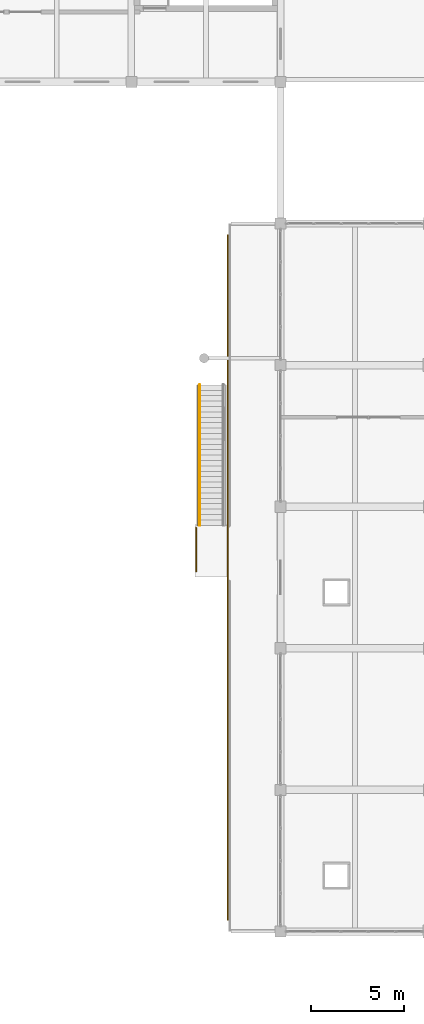
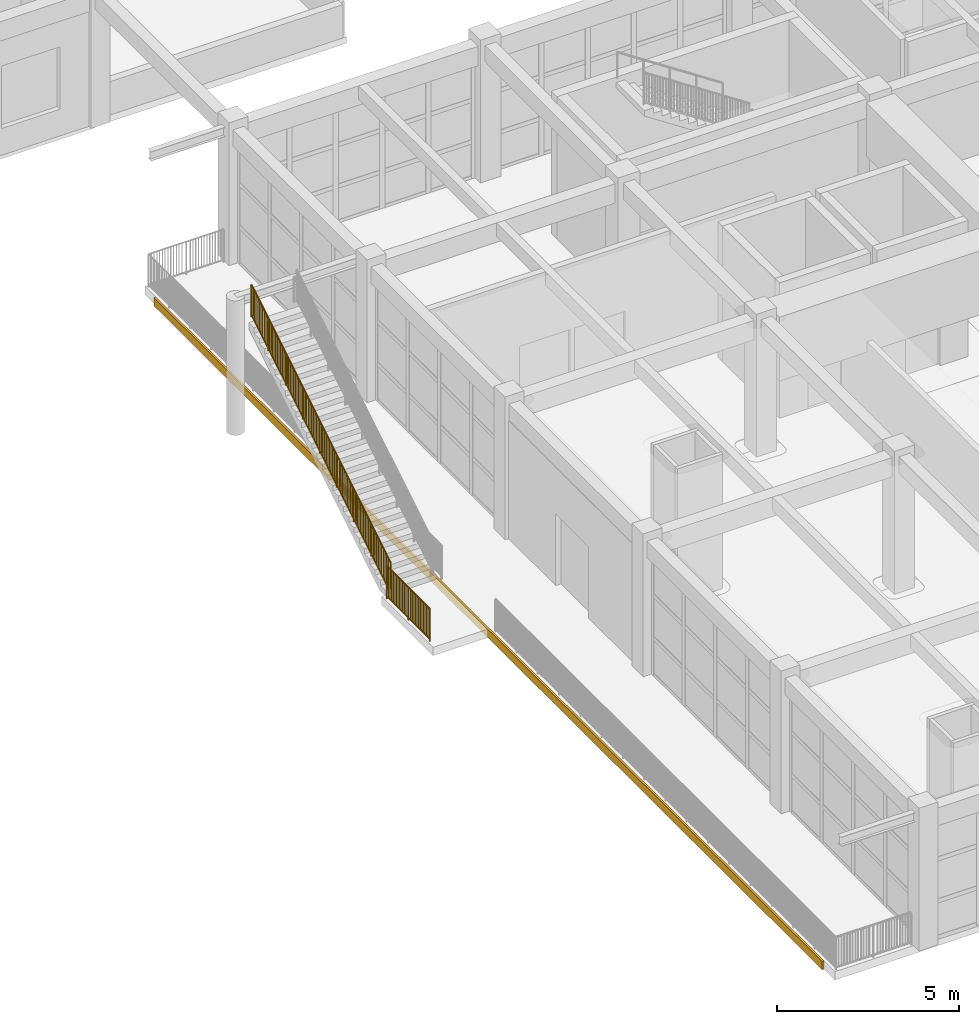
# One storey, part 41 of 50: 3 railings, 1 covering.
"""IFC4 building model written with IfcOpenShell, lengths in metres."""

from ifc_helpers import new_model, si_unit, direction, frame, origin, origin_2d, place, context, subcontext, project, spatial, polyline, rectangle, circle, outline, extrude, material, layer, layer_set, type_object, element, save


model = new_model("IFC4")

# Units and contexts
model_context = context("Model", 3, precision=1e-05, world=origin(), true_north=direction((0.0, 1.0)))
body_context = subcontext(model_context, "Body", "Model", "MODEL_VIEW")
ifc_project = project(units=[si_unit("LENGTHUNIT", "METRE"), si_unit("AREAUNIT", "SQUARE_METRE"), si_unit("VOLUMEUNIT", "CUBIC_METRE"), si_unit("PLANEANGLEUNIT", "RADIAN"), si_unit("MASSUNIT", "GRAM", prefix="KILO")], contexts=[model_context])

# Site, building, storey
site_placement = place(None, origin())
site = spatial("IfcSite", under=ifc_project, at=site_placement, CompositionType="ELEMENT")
building_placement = place(site_placement, origin())
building = spatial("IfcBuilding", under=site, at=building_placement, Name="Zantavel Square City Hall", CompositionType="ELEMENT")
storey_placement = place(building_placement, frame((0.0, 0.0, 18.89990234375)))
storey = spatial("IfcBuildingStorey", under=building, at=storey_placement, Name="L05", CompositionType="ELEMENT", Elevation=18.89990234375)

# Covering
ifc_material_1 = material(Name="White cantera volcanic tuff stone", Category="masonry")
ifc_layer = layer(ifc_material_1, 0.06005859375, Name="White cantera volcanic tuff stone")
ifc_layer_set = layer_set([ifc_layer], Name="White cantera volcanic tuff stone")
covering_type = type_object("IfcCoveringType", Name="Carved White Cantera Tray Fascia Cladding 60mm", PredefinedType="CLADDING", material=ifc_layer_set)
covering_placement = place(storey_placement, frame((0.0, 0.0, -0.27978515625)))
element("IfcCovering", 1, at=covering_placement, inside=storey, type_object=covering_type, Name="L05 White Cantera Tray Fascia COV-FASCIA-L05W", PredefinedType="CLADDING", context=body_context, shape_type="SweptSolid", body=[
    extrude(outline(polyline([(53.139892578125, 31.0), (53.199951171875, 31.0), (53.199951171875, 67.800048828125), (53.139892578125, 67.800048828125), (53.139892578125, 31.0)])), origin(), (0.0, 0.0, 1.0), 0.27978515625),
])

# Railings
ifc_material_2 = material(Name="Steel ASTM A500 Grade B", Category="steel")
railing_type_1 = type_object("IfcRailingType", Name="Classical Stone & Steel Terrace Balustrade 1100mm", PredefinedType="BALUSTRADE", material=ifc_material_2)
railing_1_placement = place(storey_placement, frame((51.580078125, 52.199951171875, 0.177978515625)))
element("IfcRailing", 2, at=railing_1_placement, inside=storey, type_object=railing_type_1, Name="Outdoor Stair ST-TR6 Balustered Guard L", PredefinedType="BALUSTRADE", context=body_context, shape_type="SweptSolid", body=[
    extrude(circle(Radius=0.02392578125, at=origin_2d()), frame((0.0, 0.0, 1.076171875), z_axis=(0.0, 0.852563162301, 0.522624199867), x_axis=(-1.0, 0.0, 0.0)), (0.0, 0.0, 1.0), 8.843994140625),
    extrude(rectangle(XDim=0.031982421875, YDim=0.031982421875, at=origin_2d()), frame((0.0, 0.0, 0.080078125), z_axis=(0.0, 0.852563162301, 0.522624199867), x_axis=(-1.0, 0.0, 0.0)), (0.0, 0.0, 1.0), 8.843994140625),
    extrude(rectangle(XDim=0.02197265625, YDim=0.02197265625, at=origin_2d()), frame((0.0, 0.08984375, 0.135009765625)), (0.0, 0.0, 1.0), 0.971923828125),
    extrude(rectangle(XDim=0.02197265625, YDim=0.02197265625, at=origin_2d()), frame((0.0, 0.179443359375, 0.18994140625)), (0.0, 0.0, 1.0), 0.971923828125),
    extrude(rectangle(XDim=0.02197265625, YDim=0.02197265625, at=origin_2d()), frame((0.0, 0.269287109375, 0.2451171875)), (0.0, 0.0, 1.0), 0.971923828125),
    extrude(rectangle(XDim=0.02197265625, YDim=0.02197265625, at=origin_2d()), frame((0.0, 0.359130859375, 0.300048828125)), (0.0, 0.0, 1.0), 0.971923828125),
    extrude(rectangle(XDim=0.02197265625, YDim=0.02197265625, at=origin_2d()), frame((0.0, 0.44873046875, 0.355224609375)), (0.0, 0.0, 1.0), 0.971923828125),
    extrude(rectangle(XDim=0.02197265625, YDim=0.02197265625, at=origin_2d()), frame((0.0, 0.53857421875, 0.41015625)), (0.0, 0.0, 1.0), 0.971923828125),
    extrude(rectangle(XDim=0.02197265625, YDim=0.02197265625, at=origin_2d()), frame((0.0, 0.62841796875, 0.465087890625)), (0.0, 0.0, 1.0), 0.971923828125),
    extrude(rectangle(XDim=0.02197265625, YDim=0.02197265625, at=origin_2d()), frame((0.0, 0.718017578125, 0.520263671875)), (0.0, 0.0, 1.0), 0.971923828125),
    extrude(rectangle(XDim=0.02197265625, YDim=0.02197265625, at=origin_2d()), frame((0.0, 0.807861328125, 0.5751953125)), (0.0, 0.0, 1.0), 0.971923828125),
    extrude(rectangle(XDim=0.02197265625, YDim=0.02197265625, at=origin_2d()), frame((0.0, 0.897705078125, 0.630126953125)), (0.0, 0.0, 1.0), 0.971923828125),
    extrude(rectangle(XDim=0.02197265625, YDim=0.02197265625, at=origin_2d()), frame((0.0, 0.9873046875, 0.685302734375)), (0.0, 0.0, 1.0), 0.971923828125),
    extrude(rectangle(XDim=0.02197265625, YDim=0.02197265625, at=origin_2d()), frame((0.0, 1.0771484375, 0.740234375)), (0.0, 0.0, 1.0), 0.971923828125),
    extrude(rectangle(XDim=0.02197265625, YDim=0.02197265625, at=origin_2d()), frame((0.0, 1.1669921875, 0.79541015625)), (0.0, 0.0, 1.0), 0.971923828125),
    extrude(rectangle(XDim=0.02197265625, YDim=0.02197265625, at=origin_2d()), frame((0.0, 1.256591796875, 0.850341796875)), (0.0, 0.0, 1.0), 0.971923828125),
    extrude(rectangle(XDim=0.02197265625, YDim=0.02197265625, at=origin_2d()), frame((0.0, 1.346435546875, 0.9052734375)), (0.0, 0.0, 1.0), 0.971923828125),
    extrude(rectangle(XDim=0.02197265625, YDim=0.02197265625, at=origin_2d()), frame((0.0, 1.436279296875, 0.96044921875)), (0.0, 0.0, 1.0), 0.971923828125),
    extrude(rectangle(XDim=0.02197265625, YDim=0.02197265625, at=origin_2d()), frame((0.0, 1.52587890625, 1.015380859375)), (0.0, 0.0, 1.0), 0.971923828125),
    extrude(rectangle(XDim=0.02197265625, YDim=0.02197265625, at=origin_2d()), frame((0.0, 1.61572265625, 1.070556640625)), (0.0, 0.0, 1.0), 0.971923828125),
    extrude(rectangle(XDim=0.02197265625, YDim=0.02197265625, at=origin_2d()), frame((0.0, 1.70556640625, 1.12548828125)), (0.0, 0.0, 1.0), 0.971923828125),
    extrude(rectangle(XDim=0.02197265625, YDim=0.02197265625, at=origin_2d()), frame((0.0, 1.795166015625, 1.180419921875)), (0.0, 0.0, 1.0), 0.971923828125),
    extrude(rectangle(XDim=0.02197265625, YDim=0.02197265625, at=origin_2d()), frame((0.0, 1.974853515625, 1.29052734375)), (0.0, 0.0, 1.0), 0.971923828125),
    extrude(rectangle(XDim=0.02197265625, YDim=0.02197265625, at=origin_2d()), frame((0.0, 2.064453125, 1.345458984375)), (0.0, 0.0, 1.0), 0.971923828125),
    extrude(rectangle(XDim=0.02197265625, YDim=0.02197265625, at=origin_2d()), frame((0.0, 2.154296875, 1.400634765625)), (0.0, 0.0, 1.0), 0.971923828125),
    extrude(rectangle(XDim=0.02197265625, YDim=0.02197265625, at=origin_2d()), frame((0.0, 2.244140625, 1.45556640625)), (0.0, 0.0, 1.0), 0.971923828125),
    extrude(rectangle(XDim=0.02197265625, YDim=0.02197265625, at=origin_2d()), frame((0.0, 2.333740234375, 1.5107421875)), (0.0, 0.0, 1.0), 0.971923828125),
    extrude(rectangle(XDim=0.02197265625, YDim=0.02197265625, at=origin_2d()), frame((0.0, 2.423583984375, 1.565673828125)), (0.0, 0.0, 1.0), 0.971923828125),
    extrude(rectangle(XDim=0.02197265625, YDim=0.02197265625, at=origin_2d()), frame((0.0, 2.513427734375, 1.62060546875)), (0.0, 0.0, 1.0), 0.971923828125),
    extrude(rectangle(XDim=0.02197265625, YDim=0.02197265625, at=origin_2d()), frame((0.0, 2.60302734375, 1.67578125)), (0.0, 0.0, 1.0), 0.971923828125),
    extrude(rectangle(XDim=0.02197265625, YDim=0.02197265625, at=origin_2d()), frame((0.0, 2.69287109375, 1.730712890625)), (0.0, 0.0, 1.0), 0.971923828125),
    extrude(rectangle(XDim=0.02197265625, YDim=0.02197265625, at=origin_2d()), frame((0.0, 2.78271484375, 1.78564453125)), (0.0, 0.0, 1.0), 0.971923828125),
    extrude(rectangle(XDim=0.02197265625, YDim=0.02197265625, at=origin_2d()), frame((0.0, 2.872314453125, 1.8408203125)), (0.0, 0.0, 1.0), 0.971923828125),
    extrude(rectangle(XDim=0.02197265625, YDim=0.02197265625, at=origin_2d()), frame((0.0, 2.962158203125, 1.895751953125)), (0.0, 0.0, 1.0), 0.971923828125),
    extrude(rectangle(XDim=0.02197265625, YDim=0.02197265625, at=origin_2d()), frame((0.0, 3.052001953125, 1.950927734375)), (0.0, 0.0, 1.0), 0.971923828125),
    extrude(rectangle(XDim=0.02197265625, YDim=0.02197265625, at=origin_2d()), frame((0.0, 3.1416015625, 2.005859375)), (0.0, 0.0, 1.0), 0.971923828125),
    extrude(rectangle(XDim=0.02197265625, YDim=0.02197265625, at=origin_2d()), frame((0.0, 3.2314453125, 2.060791015625)), (0.0, 0.0, 1.0), 0.971923828125),
    extrude(rectangle(XDim=0.02197265625, YDim=0.02197265625, at=origin_2d()), frame((0.0, 3.3212890625, 2.115966796875)), (0.0, 0.0, 1.0), 0.971923828125),
    extrude(rectangle(XDim=0.02197265625, YDim=0.02197265625, at=origin_2d()), frame((0.0, 3.410888671875, 2.1708984375)), (0.0, 0.0, 1.0), 0.971923828125),
    extrude(rectangle(XDim=0.02197265625, YDim=0.02197265625, at=origin_2d()), frame((0.0, 3.500732421875, 2.22607421875)), (0.0, 0.0, 1.0), 0.971923828125),
    extrude(rectangle(XDim=0.02197265625, YDim=0.02197265625, at=origin_2d()), frame((0.0, 3.590576171875, 2.281005859375)), (0.0, 0.0, 1.0), 0.971923828125),
    extrude(rectangle(XDim=0.02197265625, YDim=0.02197265625, at=origin_2d()), frame((0.0, 3.68017578125, 2.3359375)), (0.0, 0.0, 1.0), 0.971923828125),
    extrude(rectangle(XDim=0.02197265625, YDim=0.02197265625, at=origin_2d()), frame((0.0, 3.85986328125, 2.446044921875)), (0.0, 0.0, 1.0), 0.971923828125),
    extrude(rectangle(XDim=0.02197265625, YDim=0.02197265625, at=origin_2d()), frame((0.0, 3.949462890625, 2.5009765625)), (0.0, 0.0, 1.0), 0.971923828125),
    extrude(rectangle(XDim=0.02197265625, YDim=0.02197265625, at=origin_2d()), frame((0.0, 4.039306640625, 2.55615234375)), (0.0, 0.0, 1.0), 0.971923828125),
    extrude(rectangle(XDim=0.02197265625, YDim=0.02197265625, at=origin_2d()), frame((0.0, 4.129150390625, 2.611083984375)), (0.0, 0.0, 1.0), 0.971923828125),
    extrude(rectangle(XDim=0.02197265625, YDim=0.02197265625, at=origin_2d()), frame((0.0, 4.21875, 2.666259765625)), (0.0, 0.0, 1.0), 0.971923828125),
    extrude(rectangle(XDim=0.02197265625, YDim=0.02197265625, at=origin_2d()), frame((0.0, 4.30859375, 2.72119140625)), (0.0, 0.0, 1.0), 0.971923828125),
    extrude(rectangle(XDim=0.02197265625, YDim=0.02197265625, at=origin_2d()), frame((0.0, 4.3984375, 2.776123046875)), (0.0, 0.0, 1.0), 0.971923828125),
    extrude(rectangle(XDim=0.02197265625, YDim=0.02197265625, at=origin_2d()), frame((0.0, 4.488037109375, 2.831298828125)), (0.0, 0.0, 1.0), 0.971923828125),
    extrude(rectangle(XDim=0.02197265625, YDim=0.02197265625, at=origin_2d()), frame((0.0, 4.577880859375, 2.88623046875)), (0.0, 0.0, 1.0), 0.971923828125),
    extrude(rectangle(XDim=0.02197265625, YDim=0.02197265625, at=origin_2d()), frame((0.0, 4.667724609375, 2.941162109375)), (0.0, 0.0, 1.0), 0.971923828125),
    extrude(rectangle(XDim=0.02197265625, YDim=0.02197265625, at=origin_2d()), frame((0.0, 4.75732421875, 2.996337890625)), (0.0, 0.0, 1.0), 0.971923828125),
    extrude(rectangle(XDim=0.02197265625, YDim=0.02197265625, at=origin_2d()), frame((0.0, 4.84716796875, 3.05126953125)), (0.0, 0.0, 1.0), 0.971923828125),
    extrude(rectangle(XDim=0.02197265625, YDim=0.02197265625, at=origin_2d()), frame((0.0, 4.93701171875, 3.1064453125)), (0.0, 0.0, 1.0), 0.971923828125),
    extrude(rectangle(XDim=0.02197265625, YDim=0.02197265625, at=origin_2d()), frame((0.0, 5.026611328125, 3.161376953125)), (0.0, 0.0, 1.0), 0.971923828125),
    extrude(rectangle(XDim=0.02197265625, YDim=0.02197265625, at=origin_2d()), frame((0.0, 5.116455078125, 3.21630859375)), (0.0, 0.0, 1.0), 0.971923828125),
    extrude(rectangle(XDim=0.02197265625, YDim=0.02197265625, at=origin_2d()), frame((0.0, 5.206298828125, 3.271484375)), (0.0, 0.0, 1.0), 0.971923828125),
    extrude(rectangle(XDim=0.02197265625, YDim=0.02197265625, at=origin_2d()), frame((0.0, 5.2958984375, 3.326416015625)), (0.0, 0.0, 1.0), 0.971923828125),
    extrude(rectangle(XDim=0.02197265625, YDim=0.02197265625, at=origin_2d()), frame((0.0, 5.3857421875, 3.381591796875)), (0.0, 0.0, 1.0), 0.971923828125),
    extrude(rectangle(XDim=0.02197265625, YDim=0.02197265625, at=origin_2d()), frame((0.0, 5.4755859375, 3.4365234375)), (0.0, 0.0, 1.0), 0.971923828125),
    extrude(rectangle(XDim=0.02197265625, YDim=0.02197265625, at=origin_2d()), frame((0.0, 5.565185546875, 3.491455078125)), (0.0, 0.0, 1.0), 0.971923828125),
    extrude(rectangle(XDim=0.02197265625, YDim=0.02197265625, at=origin_2d()), frame((0.0, 5.744873046875, 3.6015625)), (0.0, 0.0, 1.0), 0.971923828125),
    extrude(rectangle(XDim=0.02197265625, YDim=0.02197265625, at=origin_2d()), frame((0.0, 5.83447265625, 3.656494140625)), (0.0, 0.0, 1.0), 0.971923828125),
    extrude(rectangle(XDim=0.02197265625, YDim=0.02197265625, at=origin_2d()), frame((0.0, 5.92431640625, 3.711669921875)), (0.0, 0.0, 1.0), 0.971923828125),
    extrude(rectangle(XDim=0.02197265625, YDim=0.02197265625, at=origin_2d()), frame((0.0, 6.01416015625, 3.7666015625)), (0.0, 0.0, 1.0), 0.971923828125),
    extrude(rectangle(XDim=0.02197265625, YDim=0.02197265625, at=origin_2d()), frame((0.0, 6.103759765625, 3.82177734375)), (0.0, 0.0, 1.0), 0.971923828125),
    extrude(rectangle(XDim=0.02197265625, YDim=0.02197265625, at=origin_2d()), frame((0.0, 6.193603515625, 3.876708984375)), (0.0, 0.0, 1.0), 0.971923828125),
    extrude(rectangle(XDim=0.02197265625, YDim=0.02197265625, at=origin_2d()), frame((0.0, 6.283447265625, 3.931640625)), (0.0, 0.0, 1.0), 0.971923828125),
    extrude(rectangle(XDim=0.02197265625, YDim=0.02197265625, at=origin_2d()), frame((0.0, 6.373046875, 3.98681640625)), (0.0, 0.0, 1.0), 0.971923828125),
    extrude(rectangle(XDim=0.02197265625, YDim=0.02197265625, at=origin_2d()), frame((0.0, 6.462890625, 4.041748046875)), (0.0, 0.0, 1.0), 0.971923828125),
    extrude(rectangle(XDim=0.02197265625, YDim=0.02197265625, at=origin_2d()), frame((0.0, 6.552734375, 4.0966796875)), (0.0, 0.0, 1.0), 0.971923828125),
    extrude(rectangle(XDim=0.02197265625, YDim=0.02197265625, at=origin_2d()), frame((0.0, 6.642333984375, 4.15185546875)), (0.0, 0.0, 1.0), 0.971923828125),
    extrude(rectangle(XDim=0.02197265625, YDim=0.02197265625, at=origin_2d()), frame((0.0, 6.732177734375, 4.206787109375)), (0.0, 0.0, 1.0), 0.971923828125),
    extrude(rectangle(XDim=0.02197265625, YDim=0.02197265625, at=origin_2d()), frame((0.0, 6.822021484375, 4.261962890625)), (0.0, 0.0, 1.0), 0.971923828125),
    extrude(rectangle(XDim=0.02197265625, YDim=0.02197265625, at=origin_2d()), frame((0.0, 6.91162109375, 4.31689453125)), (0.0, 0.0, 1.0), 0.971923828125),
    extrude(rectangle(XDim=0.02197265625, YDim=0.02197265625, at=origin_2d()), frame((0.0, 7.00146484375, 4.371826171875)), (0.0, 0.0, 1.0), 0.971923828125),
    extrude(rectangle(XDim=0.02197265625, YDim=0.02197265625, at=origin_2d()), frame((0.0, 7.09130859375, 4.427001953125)), (0.0, 0.0, 1.0), 0.971923828125),
    extrude(rectangle(XDim=0.02197265625, YDim=0.02197265625, at=origin_2d()), frame((0.0, 7.180908203125, 4.48193359375)), (0.0, 0.0, 1.0), 0.971923828125),
    extrude(rectangle(XDim=0.02197265625, YDim=0.02197265625, at=origin_2d()), frame((0.0, 7.270751953125, 4.537109375)), (0.0, 0.0, 1.0), 0.971923828125),
    extrude(rectangle(XDim=0.02197265625, YDim=0.02197265625, at=origin_2d()), frame((0.0, 7.360595703125, 4.592041015625)), (0.0, 0.0, 1.0), 0.971923828125),
    extrude(rectangle(XDim=0.02197265625, YDim=0.02197265625, at=origin_2d()), frame((0.0, 7.4501953125, 4.64697265625)), (0.0, 0.0, 1.0), 0.971923828125),
    extrude(circle(Radius=0.02099609375, at=origin_2d()), origin(), (0.0, 0.0, 1.0), 1.052001953125),
    extrude(circle(Radius=0.02099609375, at=origin_2d()), frame((0.0, 0.9423828125, 0.57763671875)), (0.0, 0.0, 1.0), 1.052001953125),
    extrude(circle(Radius=0.02099609375, at=origin_2d()), frame((0.0, 1.885009765625, 1.155517578125)), (0.0, 0.0, 1.0), 1.052001953125),
    extrude(circle(Radius=0.02099609375, at=origin_2d()), frame((0.0, 2.82763671875, 1.7333984375)), (0.0, 0.0, 1.0), 1.052001953125),
    extrude(circle(Radius=0.02099609375, at=origin_2d()), frame((0.0, 3.77001953125, 2.31103515625)), (0.0, 0.0, 1.0), 1.052001953125),
    extrude(circle(Radius=0.02099609375, at=origin_2d()), frame((0.0, 4.71240234375, 2.888671875)), (0.0, 0.0, 1.0), 1.052001953125),
    extrude(circle(Radius=0.02099609375, at=origin_2d()), frame((0.0, 5.655029296875, 3.466552734375)), (0.0, 0.0, 1.0), 1.052001953125),
    extrude(circle(Radius=0.02099609375, at=origin_2d()), frame((0.0, 6.59765625, 4.04443359375)), (0.0, 0.0, 1.0), 1.052001953125),
    extrude(circle(Radius=0.02099609375, at=origin_2d()), frame((0.0, 7.5400390625, 4.6220703125)), (0.0, 0.0, 1.0), 1.052001953125),
])
railing_2_placement = place(storey_placement, frame((51.469970703125, 49.719970703125, 0.0)))
element("IfcRailing", 3, at=railing_2_placement, inside=storey, type_object=railing_type_1, Name="L05 Terrace Balustrade 049", PredefinedType="BALUSTRADE", context=body_context, shape_type="SweptSolid", body=[
    extrude(circle(Radius=0.02392578125, at=origin_2d()), frame((0.0, 0.0, 1.09619140625), z_axis=(0.0, 1.0, 0.0), x_axis=(-1.0, 0.0, 0.0)), (0.0, 0.0, 1.0), 2.360107421875),
    extrude(rectangle(XDim=0.031982421875, YDim=0.031982421875, at=origin_2d()), frame((0.0, 0.0, 0.080078125), z_axis=(0.0, 1.0, 0.0), x_axis=(-1.0, 0.0, 0.0)), (0.0, 0.0, 1.0), 2.360107421875),
    extrude(rectangle(XDim=0.02197265625, YDim=0.02197265625, at=origin_2d()), frame((0.0, 0.08740234375, 0.080078125)), (0.0, 0.0, 1.0), 0.991943359375),
    extrude(rectangle(XDim=0.02197265625, YDim=0.02197265625, at=origin_2d()), frame((0.0, 0.1748046875, 0.080078125)), (0.0, 0.0, 1.0), 0.991943359375),
    extrude(rectangle(XDim=0.02197265625, YDim=0.02197265625, at=origin_2d()), frame((0.0, 0.26220703125, 0.080078125)), (0.0, 0.0, 1.0), 0.991943359375),
    extrude(rectangle(XDim=0.02197265625, YDim=0.02197265625, at=origin_2d()), frame((0.0, 0.349609375, 0.080078125)), (0.0, 0.0, 1.0), 0.991943359375),
    extrude(rectangle(XDim=0.02197265625, YDim=0.02197265625, at=origin_2d()), frame((0.0, 0.43701171875, 0.080078125)), (0.0, 0.0, 1.0), 0.991943359375),
    extrude(rectangle(XDim=0.02197265625, YDim=0.02197265625, at=origin_2d()), frame((0.0, 0.5244140625, 0.080078125)), (0.0, 0.0, 1.0), 0.991943359375),
    extrude(rectangle(XDim=0.02197265625, YDim=0.02197265625, at=origin_2d()), frame((0.0, 0.61181640625, 0.080078125)), (0.0, 0.0, 1.0), 0.991943359375),
    extrude(rectangle(XDim=0.02197265625, YDim=0.02197265625, at=origin_2d()), frame((0.0, 0.69921875, 0.080078125)), (0.0, 0.0, 1.0), 0.991943359375),
    extrude(rectangle(XDim=0.02197265625, YDim=0.02197265625, at=origin_2d()), frame((0.0, 0.78662109375, 0.080078125)), (0.0, 0.0, 1.0), 0.991943359375),
    extrude(rectangle(XDim=0.02197265625, YDim=0.02197265625, at=origin_2d()), frame((0.0, 0.8740234375, 0.080078125)), (0.0, 0.0, 1.0), 0.991943359375),
    extrude(rectangle(XDim=0.02197265625, YDim=0.02197265625, at=origin_2d()), frame((0.0, 0.96142578125, 0.080078125)), (0.0, 0.0, 1.0), 0.991943359375),
    extrude(rectangle(XDim=0.02197265625, YDim=0.02197265625, at=origin_2d()), frame((0.0, 1.048828125, 0.080078125)), (0.0, 0.0, 1.0), 0.991943359375),
    extrude(rectangle(XDim=0.02197265625, YDim=0.02197265625, at=origin_2d()), frame((0.0, 1.311279296875, 0.080078125)), (0.0, 0.0, 1.0), 0.991943359375),
    extrude(rectangle(XDim=0.02197265625, YDim=0.02197265625, at=origin_2d()), frame((0.0, 1.398681640625, 0.080078125)), (0.0, 0.0, 1.0), 0.991943359375),
    extrude(rectangle(XDim=0.02197265625, YDim=0.02197265625, at=origin_2d()), frame((0.0, 1.486083984375, 0.080078125)), (0.0, 0.0, 1.0), 0.991943359375),
    extrude(rectangle(XDim=0.02197265625, YDim=0.02197265625, at=origin_2d()), frame((0.0, 1.573486328125, 0.080078125)), (0.0, 0.0, 1.0), 0.991943359375),
    extrude(rectangle(XDim=0.02197265625, YDim=0.02197265625, at=origin_2d()), frame((0.0, 1.660888671875, 0.080078125)), (0.0, 0.0, 1.0), 0.991943359375),
    extrude(rectangle(XDim=0.02197265625, YDim=0.02197265625, at=origin_2d()), frame((0.0, 1.748291015625, 0.080078125)), (0.0, 0.0, 1.0), 0.991943359375),
    extrude(rectangle(XDim=0.02197265625, YDim=0.02197265625, at=origin_2d()), frame((0.0, 1.835693359375, 0.080078125)), (0.0, 0.0, 1.0), 0.991943359375),
    extrude(rectangle(XDim=0.02197265625, YDim=0.02197265625, at=origin_2d()), frame((0.0, 1.923095703125, 0.080078125)), (0.0, 0.0, 1.0), 0.991943359375),
    extrude(rectangle(XDim=0.02197265625, YDim=0.02197265625, at=origin_2d()), frame((0.0, 2.010498046875, 0.080078125)), (0.0, 0.0, 1.0), 0.991943359375),
    extrude(rectangle(XDim=0.02197265625, YDim=0.02197265625, at=origin_2d()), frame((0.0, 2.097900390625, 0.080078125)), (0.0, 0.0, 1.0), 0.991943359375),
    extrude(rectangle(XDim=0.02197265625, YDim=0.02197265625, at=origin_2d()), frame((0.0, 2.185302734375, 0.080078125)), (0.0, 0.0, 1.0), 0.991943359375),
    extrude(rectangle(XDim=0.02197265625, YDim=0.02197265625, at=origin_2d()), frame((0.0, 2.272705078125, 0.080078125)), (0.0, 0.0, 1.0), 0.991943359375),
    extrude(circle(Radius=0.02099609375, at=origin_2d()), origin(), (0.0, 0.0, 1.0), 1.072021484375),
    extrude(circle(Radius=0.02099609375, at=origin_2d()), frame((0.0, 1.18017578125, 0.0)), (0.0, 0.0, 1.0), 1.072021484375),
    extrude(circle(Radius=0.02099609375, at=origin_2d()), frame((0.0, 2.360107421875, 0.0)), (0.0, 0.0, 1.0), 1.072021484375),
])
ifc_material_3 = material(Name="Stainless steel 316", Category="steel")
railing_type_2 = type_object("IfcRailingType", Name="Stair Stainless Steel Handrail 900mm", PredefinedType="HANDRAIL", material=ifc_material_3)
railing_3_placement = place(storey_placement, frame((51.66650390625, 52.199951171875, 0.177978515625)))
element("IfcRailing", 4, at=railing_3_placement, inside=storey, type_object=railing_type_2, Name="Outdoor Stair ST-TR6 Handrail L", PredefinedType="HANDRAIL", context=body_context, shape_type="SweptSolid", body=[
    extrude(circle(Radius=0.02392578125, at=origin_2d()), frame((0.0, 0.0, 0.8759765625), z_axis=(0.0, 0.852563162301, 0.522624199867), x_axis=(-1.0, 0.0, 0.0)), (0.0, 0.0, 1.0), 8.843994140625),
    extrude(circle(Radius=0.02099609375, at=origin_2d()), origin(), (0.0, 0.0, 1.0), 0.851806640625),
    extrude(circle(Radius=0.02099609375, at=origin_2d()), frame((0.0, 0.9423828125, 0.57763671875)), (0.0, 0.0, 1.0), 0.851806640625),
    extrude(circle(Radius=0.02099609375, at=origin_2d()), frame((0.0, 1.885009765625, 1.155517578125)), (0.0, 0.0, 1.0), 0.851806640625),
    extrude(circle(Radius=0.02099609375, at=origin_2d()), frame((0.0, 2.82763671875, 1.7333984375)), (0.0, 0.0, 1.0), 0.851806640625),
    extrude(circle(Radius=0.02099609375, at=origin_2d()), frame((0.0, 3.77001953125, 2.31103515625)), (0.0, 0.0, 1.0), 0.851806640625),
    extrude(circle(Radius=0.02099609375, at=origin_2d()), frame((0.0, 4.71240234375, 2.888671875)), (0.0, 0.0, 1.0), 0.851806640625),
    extrude(circle(Radius=0.02099609375, at=origin_2d()), frame((0.0, 5.655029296875, 3.466552734375)), (0.0, 0.0, 1.0), 0.851806640625),
    extrude(circle(Radius=0.02099609375, at=origin_2d()), frame((0.0, 6.59765625, 4.04443359375)), (0.0, 0.0, 1.0), 0.851806640625),
    extrude(circle(Radius=0.02099609375, at=origin_2d()), frame((0.0, 7.5400390625, 4.6220703125)), (0.0, 0.0, 1.0), 0.851806640625),
])

save(model, "model.ifc")
